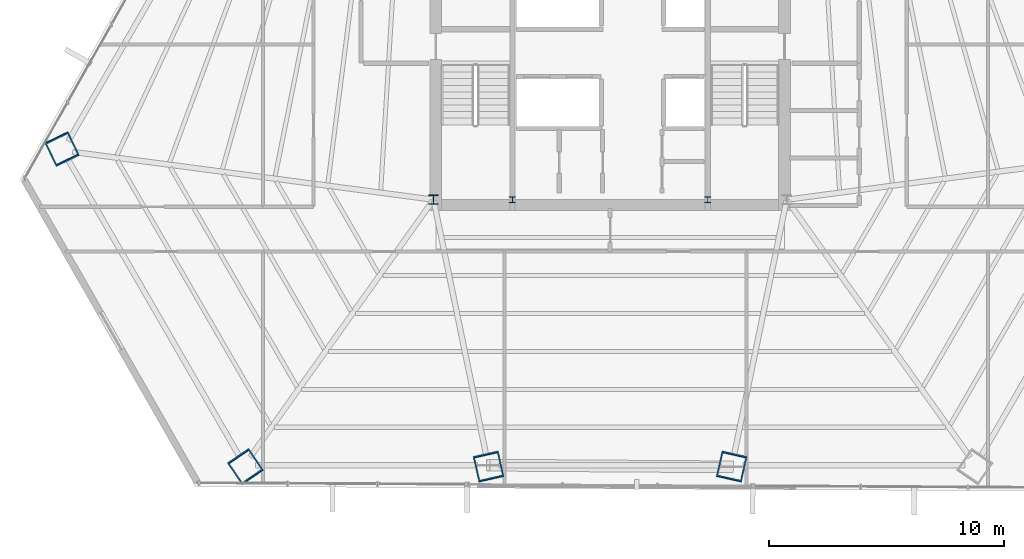
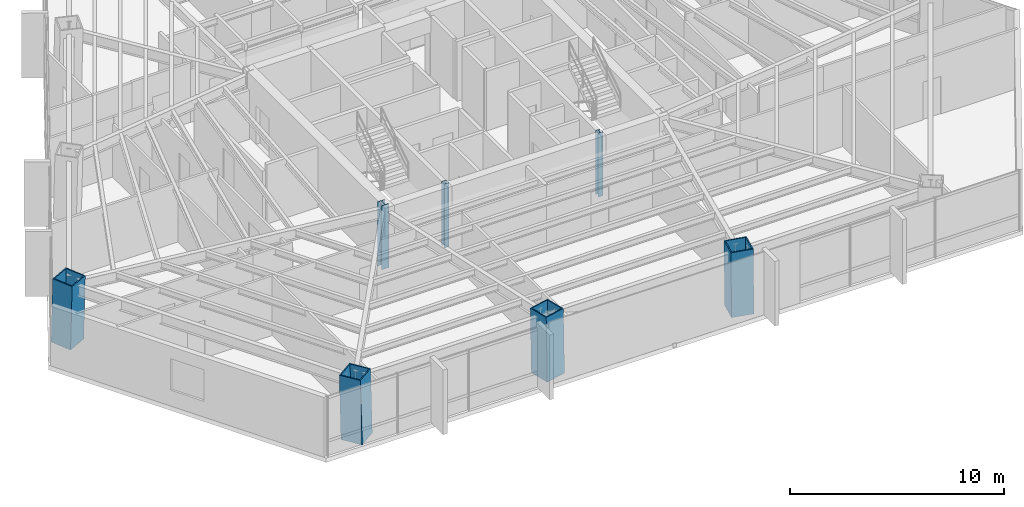
# One storey, part 1 of 35: 7 columns.
"""IFC4 building model written with IfcOpenShell, lengths in metres."""

from ifc_helpers import new_model, si_unit, direction, frame, origin, origin_2d, place, context, subcontext, project, spatial, hollow_rectangle, i_section, extrude, source, transform, mapped, material, material_profile, profile_set, type_object, type_shapes, element, save


model = new_model("IFC4")

# Units and contexts
model_context = context("Model", 3, precision=1e-05, world=origin(), true_north=direction((0.0, 1.0)))
body_context = subcontext(model_context, "Body", "Model", "MODEL_VIEW")
ifc_project = project(units=[si_unit("LENGTHUNIT", "METRE"), si_unit("AREAUNIT", "SQUARE_METRE"), si_unit("VOLUMEUNIT", "CUBIC_METRE"), si_unit("PLANEANGLEUNIT", "RADIAN"), si_unit("MASSUNIT", "GRAM", prefix="KILO")], contexts=[model_context])

# Site, building, storey
site_placement = place(None, origin())
site = spatial("IfcSite", under=ifc_project, at=site_placement, CompositionType="ELEMENT")
building_placement = place(site_placement, origin())
building = spatial("IfcBuilding", under=site, at=building_placement, Name="Caelisora Broadcast Tower", CompositionType="ELEMENT")
storey_placement = place(building_placement, frame((0.0, 0.0, 90.800048828125)))
storey = spatial("IfcBuildingStorey", under=building, at=storey_placement, Name="L23", CompositionType="ELEMENT", Elevation=90.800048828125)

# Columns
ifc_material_1 = material(Name="Steel Grade 350 (AS/NZS 3679.1)", Category="steel")
ifc_material_profile_1 = material_profile(ifc_material_1, i_section(OverallWidth=0.256103515625, OverallDepth=0.260009765625, WebThickness=0.010498046875, FlangeThickness=0.017333984375, at=origin_2d()), Name="Steel Grade 350 (AS/NZS 3679.1)")
ifc_profile_set_1 = profile_set([ifc_material_profile_1], Name="Steel Grade 350 (AS/NZS 3679.1)")
column_type_1 = type_object("IfcColumnType", Name="CC05", PredefinedType="COLUMN", material=ifc_profile_set_1)
shared_shape_1 = source(origin(), body_context, "Body", "SweptSolid", [
    extrude(i_section(OverallWidth=0.256103515625, OverallDepth=0.260009765625, WebThickness=0.010498046875, FlangeThickness=0.017333984375, at=origin_2d()), origin(), (0.0, 0.0, 1.0), 3.64990234375),
])
type_shapes(column_type_1, [shared_shape_1])
for number, where, z_axis, x_axis, name in (
    (1, (33.85009765625, 17.39990234375, 0.0), (0.0, 0.0, 1.0), (1.0, 0.0, 0.0), "L23 column CC05"),
    (2, (42.14990234375, 17.39990234375, 0.0), (0.0, 0.0, 1.0), (1.0, 0.0, 0.0), "L23 column CC05"),
):
    element("IfcColumn", number, at=place(storey_placement, frame(where, z_axis=z_axis, x_axis=x_axis)), inside=storey, type_object=column_type_1, Name=name, PredefinedType="COLUMN", context=body_context, shape_type="MappedRepresentation", body=[
        mapped(shared_shape_1, transform((0.0, 0.0, 0.0), scale=1.0)),
    ])
ifc_material_2 = material(Name="Steel Grade 350 (AS/NZS 3679.2)", Category="steel")
ifc_material_profile_2 = material_profile(ifc_material_2, i_section(OverallWidth=0.39990234375, OverallDepth=0.39990234375, WebThickness=0.02001953125, FlangeThickness=0.031982421875, at=origin_2d()), Name="Steel Grade 350 (AS/NZS 3679.2)")
ifc_profile_set_2 = profile_set([ifc_material_profile_2], Name="Steel Grade 350 (AS/NZS 3679.2)")
column_type_2 = type_object("IfcColumnType", Name="CC02", PredefinedType="COLUMN", material=ifc_profile_set_2)
shared_shape_2 = source(origin(), body_context, "Body", "SweptSolid", [
    extrude(i_section(OverallWidth=0.39990234375, OverallDepth=0.39990234375, WebThickness=0.02001953125, FlangeThickness=0.031982421875, at=origin_2d()), origin(), (0.0, 0.0, 1.0), 3.64990234375),
])
type_shapes(column_type_2, [shared_shape_2])
column_placement = place(storey_placement, frame((30.5, 17.39990234375, 0.0), z_axis=(0.0, 0.0, 1.0), x_axis=(1.0, 0.0, 0.0)))
element("IfcColumn", 3, at=column_placement, inside=storey, type_object=column_type_2, Name="L23 column CC02", PredefinedType="COLUMN", context=body_context, shape_type="MappedRepresentation", body=[
    mapped(shared_shape_2, transform((0.0, 0.0, 0.0), scale=1.0)),
])
ifc_material_3 = material(Name="Steel Grade 350 L15 (AS/NZS 3678)", Category="steel")
ifc_material_profile_3 = material_profile(ifc_material_3, hollow_rectangle(XDim=1.10009765625, YDim=1.10009765625, WallThickness=0.06005859375, at=origin_2d()), Name="Steel Grade 350 L15 (AS/NZS 3678)")
ifc_profile_set_3 = profile_set([ifc_material_profile_3], Name="Steel Grade 350 L15 (AS/NZS 3678)")
column_type_3 = type_object("IfcColumnType", Name="MC03", PredefinedType="COLUMN", material=ifc_profile_set_3)
shared_shape_3 = source(origin(), body_context, "Body", "SweptSolid", [
    extrude(hollow_rectangle(XDim=1.10009765625, YDim=1.10009765625, WallThickness=0.06005859375, at=origin_2d()), origin(), (0.0, 0.0, 1.0), 3.65087890625),
])
for number, where, z_axis, x_axis, name in (
    (4, (14.714599609375, 19.56494140625, 0.0), (0.010431780378, -0.021599135014, 0.999712286273), (0.900476348161, 0.434904985489, 0.0), "L23 column MC03"),
    (5, (22.5166015625, 6.0517578125, 0.0), (-0.013507825582, 0.019793645407, 0.999712833893), (-0.825991119814, -0.563683129062, 0.0), "L23 column MC03"),
):
    element("IfcColumn", number, at=place(storey_placement, frame(where, z_axis=z_axis, x_axis=x_axis)), inside=storey, type_object=column_type_3, Name=name, PredefinedType="COLUMN", context=body_context, shape_type="MappedRepresentation", body=[
        mapped(shared_shape_3, transform((0.0, 0.0, 0.0), scale=1.0)),
    ])
shared_shape_4 = source(origin(), body_context, "Body", "SweptSolid", [
    extrude(hollow_rectangle(XDim=1.10009765625, YDim=1.10009765625, WallThickness=0.06005859375, at=origin_2d()), origin(), (0.0, 0.0, 1.0), 3.650634765625),
])
type_shapes(column_type_3, [shared_shape_3, shared_shape_4])
for number, where, z_axis, x_axis, name in (
    (6, (32.8388671875, 6.0517578125, 0.0), (-0.004480682206, 0.019795252729, 0.999794014513), (-0.975326687046, -0.220766513622, 0.0), "L23 column MC03"),
    (7, (43.1611328125, 6.0517578125, 0.0), (0.004480682206, 0.019795252729, 0.999794014513), (-0.975326687046, 0.220766513622, 0.0), "L23 column MC03"),
):
    element("IfcColumn", number, at=place(storey_placement, frame(where, z_axis=z_axis, x_axis=x_axis)), inside=storey, type_object=column_type_3, Name=name, PredefinedType="COLUMN", context=body_context, shape_type="MappedRepresentation", body=[
        mapped(shared_shape_4, transform((0.0, 0.0, 0.0), scale=1.0)),
    ])

save(model, "model.ifc")
